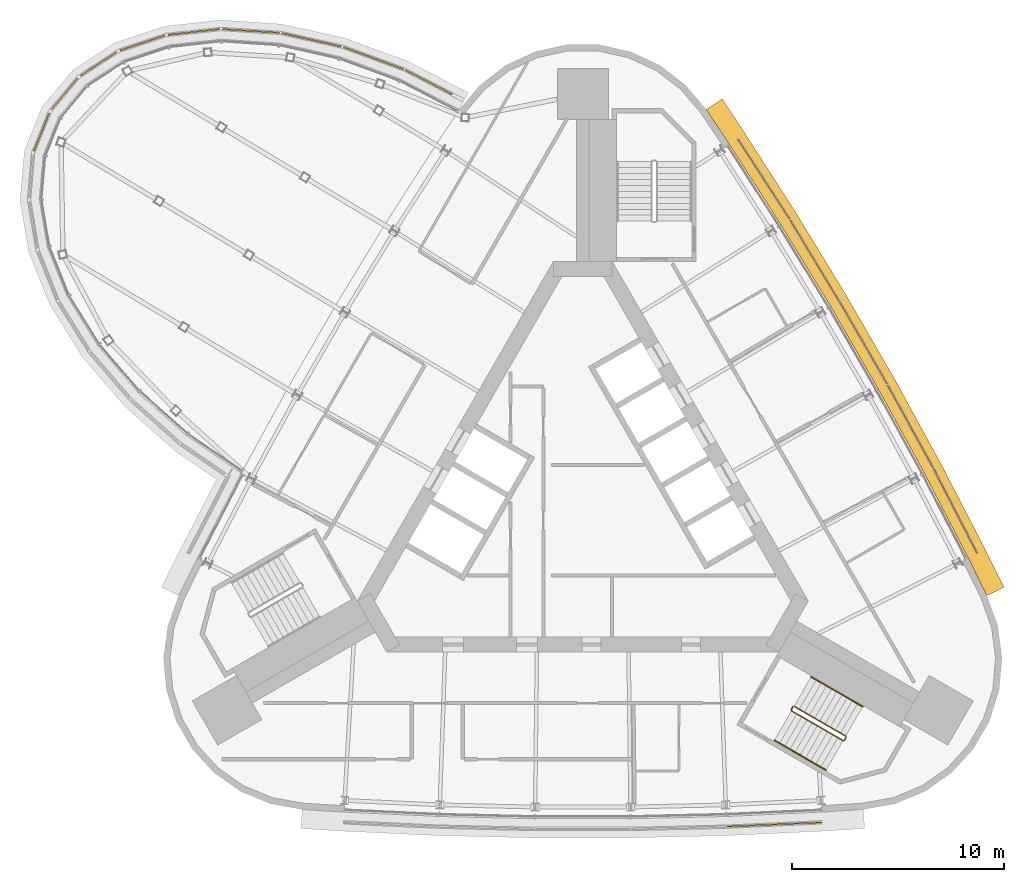
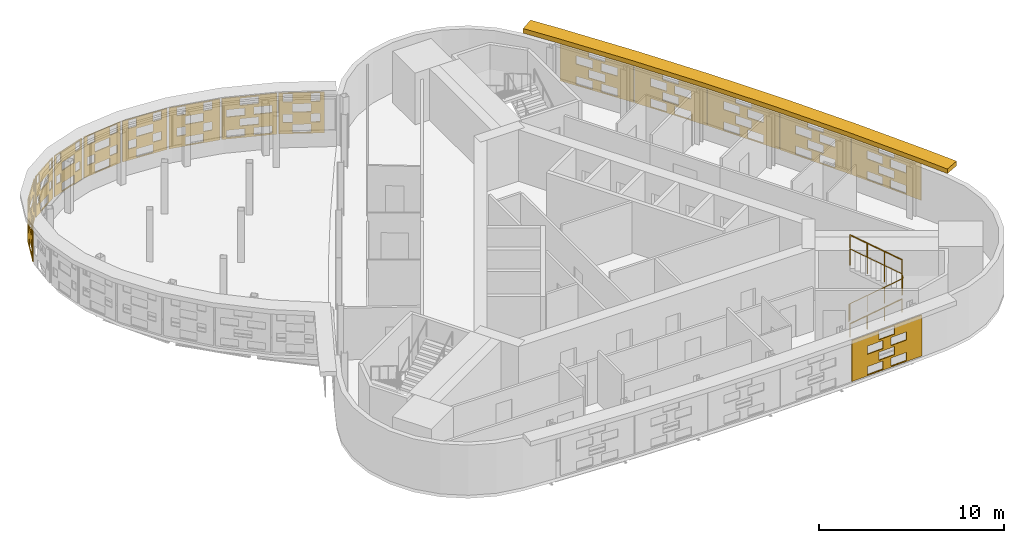
# One storey, part 13 of 13: 16 shading devices, 3 railings.
"""IFC4 building model written with IfcOpenShell, lengths in metres."""

from ifc_helpers import new_model, si_unit, direction, frame, origin, origin_2d, place, context, subcontext, project, spatial, polyline, circle, outline, extrude, material, layer, layer_set, material_profile, profile_set, type_object, element, save


model = new_model("IFC4")

# Units and contexts
model_context = context("Model", 3, precision=1e-05, world=origin(), true_north=direction((0.0, 1.0)))
body_context = subcontext(model_context, "Body", "Model", "MODEL_VIEW")
ifc_project = project(units=[si_unit("LENGTHUNIT", "METRE"), si_unit("AREAUNIT", "SQUARE_METRE"), si_unit("VOLUMEUNIT", "CUBIC_METRE"), si_unit("PLANEANGLEUNIT", "RADIAN"), si_unit("MASSUNIT", "GRAM", prefix="KILO")], contexts=[model_context])

# Site, building, storey
site_placement = place(None, origin())
site = spatial("IfcSite", under=ifc_project, at=site_placement, CompositionType="ELEMENT")
building_placement = place(site_placement, origin())
building = spatial("IfcBuilding", under=site, at=building_placement, Name="Noor Cloister Tower", CompositionType="ELEMENT")
storey_placement = place(building_placement, frame((0.0, 0.0, 267.0)))
storey = spatial("IfcBuildingStorey", under=building, at=storey_placement, Name="L68", CompositionType="ELEMENT", Elevation=267.0)

# Shading devices
ifc_material_1 = material(Name="Limestone", Category="masonry")
ifc_material_profile = material_profile(ifc_material_1, outline(polyline([(-2.22998046875, -1.35009765625), (2.22998046875, -1.35009765625), (2.22998046875, 1.35009765625), (-2.22998046875, 1.35009765625), (-2.22998046875, -1.35009765625)]), holes=[polyline([(-1.25, -1.282470703125), (-0.25, -1.282470703125), (-0.25, -0.742431640625), (-1.25, -0.742431640625), (-1.25, -1.282470703125)]), polyline([(0.25, -1.282470703125), (1.25, -1.282470703125), (1.25, -0.742431640625), (0.25, -0.742431640625), (0.25, -1.282470703125)]), polyline([(-0.5, -0.607421875), (0.5, -0.607421875), (0.5, -0.0673828125), (-0.5, -0.0673828125), (-0.5, -0.607421875)]), polyline([(-1.25, 0.0673828125), (-0.25, 0.0673828125), (-0.25, 0.607421875), (-1.25, 0.607421875), (-1.25, 0.0673828125)]), polyline([(0.25, 0.0673828125), (1.25, 0.0673828125), (1.25, 0.607421875), (0.25, 0.607421875), (0.25, 0.0673828125)]), polyline([(-0.5, 0.742431640625), (0.5, 0.742431640625), (0.5, 1.282470703125), (-0.5, 1.282470703125), (-0.5, 0.742431640625)])]), Name="Woven screen 35 percent open")
ifc_profile_set = profile_set([ifc_material_profile], Name="Limestone")
shading_device_type_1 = type_object("IfcShadingDeviceType", Name="SCREEN woven limestone 35 percent open", PredefinedType="USERDEFINED", material=ifc_profile_set)
shading_device_1_placement = place(storey_placement, frame((9.01708984375, -15.014404296875, 1.85009765625), z_axis=(0.044852774233, -0.998993607909, 0.0), x_axis=(0.998993607909, 0.044852774233, 0.0)))
element("IfcShadingDevice", 1, at=shading_device_1_placement, inside=storey, type_object=shading_device_type_1, Name="SCREEN L68 5", ObjectType="SCREEN", PredefinedType="USERDEFINED", context=body_context, shape_type="SweptSolid", body=[
    extrude(outline(polyline([(-2.22998046875, -1.35009765625), (2.22998046875, -1.35009765625), (2.22998046875, 1.35009765625), (-2.22998046875, 1.35009765625), (-2.22998046875, -1.35009765625)]), holes=[polyline([(-1.25, -1.282470703125), (-0.25, -1.282470703125), (-0.25, -0.742431640625), (-1.25, -0.742431640625), (-1.25, -1.282470703125)]), polyline([(0.25, -1.282470703125), (1.25, -1.282470703125), (1.25, -0.742431640625), (0.25, -0.742431640625), (0.25, -1.282470703125)]), polyline([(-0.5, -0.607421875), (0.5, -0.607421875), (0.5, -0.0673828125), (-0.5, -0.0673828125), (-0.5, -0.607421875)]), polyline([(-1.25, 0.0673828125), (-0.25, 0.0673828125), (-0.25, 0.607421875), (-1.25, 0.607421875), (-1.25, 0.0673828125)]), polyline([(0.25, 0.0673828125), (1.25, 0.0673828125), (1.25, 0.607421875), (0.25, 0.607421875), (0.25, 0.0673828125)]), polyline([(-0.5, 0.742431640625), (0.5, 0.742431640625), (0.5, 1.282470703125), (-0.5, 1.282470703125), (-0.5, 0.742431640625)])]), origin(), (0.0, 0.0, 1.0), 0.059814453125),
])
shading_device_2_placement = place(storey_placement, frame((17.51123046875, -0.3017578125, 1.85009765625), z_axis=(0.888674000225, 0.458539552628, 0.0), x_axis=(-0.458539552628, 0.888674000225, 0.0)))
element("IfcShadingDevice", 2, at=shading_device_2_placement, inside=storey, type_object=shading_device_type_1, Name="SCREEN L68 1", ObjectType="SCREEN", PredefinedType="USERDEFINED", context=body_context, shape_type="SweptSolid", body=[
    extrude(outline(polyline([(-2.22998046875, -1.35009765625), (2.22998046875, -1.35009765625), (2.22998046875, 1.35009765625), (-2.22998046875, 1.35009765625), (-2.22998046875, -1.35009765625)]), holes=[polyline([(-1.25, -1.282470703125), (-0.25, -1.282470703125), (-0.25, -0.742431640625), (-1.25, -0.742431640625), (-1.25, -1.282470703125)]), polyline([(0.25, -1.282470703125), (1.25, -1.282470703125), (1.25, -0.742431640625), (0.25, -0.742431640625), (0.25, -1.282470703125)]), polyline([(-0.5, -0.607421875), (0.5, -0.607421875), (0.5, -0.0673828125), (-0.5, -0.0673828125), (-0.5, -0.607421875)]), polyline([(-1.25, 0.0673828125), (-0.25, 0.0673828125), (-0.25, 0.607421875), (-1.25, 0.607421875), (-1.25, 0.0673828125)]), polyline([(0.25, 0.0673828125), (1.25, 0.0673828125), (1.25, 0.607421875), (0.25, 0.607421875), (0.25, 0.0673828125)]), polyline([(-0.5, 0.742431640625), (0.5, 0.742431640625), (0.5, 1.282470703125), (-0.5, 1.282470703125), (-0.5, 0.742431640625)])]), origin(), (0.0, 0.0, 1.0), 0.06005859375),
])
shading_device_3_placement = place(storey_placement, frame((15.3935546875, 3.679931640625, 1.85009765625), z_axis=(0.876645997325, 0.481135942718, 0.0), x_axis=(-0.481135942718, 0.876645997325, 0.0)))
element("IfcShadingDevice", 3, at=shading_device_3_placement, inside=storey, type_object=shading_device_type_1, Name="SCREEN L68 2", ObjectType="SCREEN", PredefinedType="USERDEFINED", context=body_context, shape_type="SweptSolid", body=[
    extrude(outline(polyline([(-2.22998046875, -1.35009765625), (2.22998046875, -1.35009765625), (2.22998046875, 1.35009765625), (-2.22998046875, 1.35009765625), (-2.22998046875, -1.35009765625)]), holes=[polyline([(-1.25, -1.282470703125), (-0.25, -1.282470703125), (-0.25, -0.742431640625), (-1.25, -0.742431640625), (-1.25, -1.282470703125)]), polyline([(0.25, -1.282470703125), (1.25, -1.282470703125), (1.25, -0.742431640625), (0.25, -0.742431640625), (0.25, -1.282470703125)]), polyline([(-0.5, -0.607421875), (0.5, -0.607421875), (0.5, -0.0673828125), (-0.5, -0.0673828125), (-0.5, -0.607421875)]), polyline([(-1.25, 0.0673828125), (-0.25, 0.0673828125), (-0.25, 0.607421875), (-1.25, 0.607421875), (-1.25, 0.0673828125)]), polyline([(0.25, 0.0673828125), (1.25, 0.0673828125), (1.25, 0.607421875), (0.25, 0.607421875), (0.25, 0.0673828125)]), polyline([(-0.5, 0.742431640625), (0.5, 0.742431640625), (0.5, 1.282470703125), (-0.5, 1.282470703125), (-0.5, 0.742431640625)])]), origin(), (0.0, 0.0, 1.0), 0.059814453125),
])
shading_device_4_placement = place(storey_placement, frame((13.183837890625, 7.61181640625, 1.85009765625), z_axis=(0.865982457891, 0.500074377092, 0.0), x_axis=(-0.500074377092, 0.865982457891, 0.0)))
element("IfcShadingDevice", 4, at=shading_device_4_placement, inside=storey, type_object=shading_device_type_1, Name="SCREEN L68 3", ObjectType="SCREEN", PredefinedType="USERDEFINED", context=body_context, shape_type="SweptSolid", body=[
    extrude(outline(polyline([(-2.22998046875, -1.35009765625), (2.22998046875, -1.35009765625), (2.22998046875, 1.35009765625), (-2.22998046875, 1.35009765625), (-2.22998046875, -1.35009765625)]), holes=[polyline([(-1.25, -1.282470703125), (-0.25, -1.282470703125), (-0.25, -0.742431640625), (-1.25, -0.742431640625), (-1.25, -1.282470703125)]), polyline([(0.25, -1.282470703125), (1.25, -1.282470703125), (1.25, -0.742431640625), (0.25, -0.742431640625), (0.25, -1.282470703125)]), polyline([(-0.5, -0.607421875), (0.5, -0.607421875), (0.5, -0.0673828125), (-0.5, -0.0673828125), (-0.5, -0.607421875)]), polyline([(-1.25, 0.0673828125), (-0.25, 0.0673828125), (-0.25, 0.607421875), (-1.25, 0.607421875), (-1.25, 0.0673828125)]), polyline([(0.25, 0.0673828125), (1.25, 0.0673828125), (1.25, 0.607421875), (0.25, 0.607421875), (0.25, 0.0673828125)]), polyline([(-0.5, 0.742431640625), (0.5, 0.742431640625), (0.5, 1.282470703125), (-0.5, 1.282470703125), (-0.5, 0.742431640625)])]), origin(), (0.0, 0.0, 1.0), 0.06005859375),
])
for number, where, z_axis, x_axis, name in (
    (5, (10.8837890625, 11.4912109375, 1.85009765625), (0.855690023312, 0.517488728384, 0.0), (-0.517488728384, 0.855690023312, 0.0), "SCREEN L68 4"),
    (6, (8.494384765625, 15.316162109375, 1.85009765625), (0.840116811995, 0.54240551454, 0.0), (-0.54240551454, 0.840116811995, 0.0), "SCREEN L68 5"),
):
    element("IfcShadingDevice", number, at=place(storey_placement, frame(where, z_axis=z_axis, x_axis=x_axis)), inside=storey, type_object=shading_device_type_1, Name=name, ObjectType="SCREEN", PredefinedType="USERDEFINED", context=body_context, shape_type="SweptSolid", body=[
        extrude(outline(polyline([(-2.22998046875, -1.35009765625), (2.22998046875, -1.35009765625), (2.22998046875, 1.35009765625), (-2.22998046875, 1.35009765625), (-2.22998046875, -1.35009765625)]), holes=[polyline([(-1.25, -1.282470703125), (-0.25, -1.282470703125), (-0.25, -0.742431640625), (-1.25, -0.742431640625), (-1.25, -1.282470703125)]), polyline([(0.25, -1.282470703125), (1.25, -1.282470703125), (1.25, -0.742431640625), (0.25, -0.742431640625), (0.25, -1.282470703125)]), polyline([(-0.5, -0.607421875), (0.5, -0.607421875), (0.5, -0.0673828125), (-0.5, -0.0673828125), (-0.5, -0.607421875)]), polyline([(-1.25, 0.0673828125), (-0.25, 0.0673828125), (-0.25, 0.607421875), (-1.25, 0.607421875), (-1.25, 0.0673828125)]), polyline([(0.25, 0.0673828125), (1.25, 0.0673828125), (1.25, 0.607421875), (0.25, 0.607421875), (0.25, 0.0673828125)]), polyline([(-0.5, 0.742431640625), (0.5, 0.742431640625), (0.5, 1.282470703125), (-0.5, 1.282470703125), (-0.5, 0.742431640625)])]), origin(), (0.0, 0.0, 1.0), 0.059814453125),
    ])
ifc_material_2 = material(Name="Limestone", Category="masonry")
ifc_layer = layer(ifc_material_2, 0.06005859375)
ifc_layer_set = layer_set([ifc_layer], Name="SCREEN woven limestone pod 35 percent open")
shading_device_type_2 = type_object("IfcShadingDeviceType", Name="SCREEN woven limestone pod 35 percent open", PredefinedType="USERDEFINED", material=ifc_layer_set)
shading_device_5_placement = place(storey_placement, frame((-7.25634765625, 19.86767578125, 1.85009765625), z_axis=(0.460198285861, 0.887816162103, 0.0), x_axis=(-0.887816162103, 0.460198285861, 0.0)))
element("IfcShadingDevice", 7, at=shading_device_5_placement, inside=storey, type_object=shading_device_type_2, Name="SCREEN L68 1", ObjectType="SCREEN", PredefinedType="USERDEFINED", context=body_context, shape_type="SweptSolid", body=[
    extrude(outline(polyline([(-1.24365234375, -1.35009765625), (1.24365234375, -1.35009765625), (1.24365234375, 1.35009765625), (-1.24365234375, 1.35009765625), (-1.24365234375, -1.35009765625)]), holes=[polyline([(-0.5, -1.282470703125), (0.5, -1.282470703125), (0.5, -0.742431640625), (-0.5, -0.742431640625), (-0.5, -1.282470703125)]), polyline([(-1.0, -0.607421875), (-0.5, -0.607421875), (-0.5, -0.0673828125), (-1.0, -0.0673828125), (-1.0, -0.607421875)]), polyline([(0.5, -0.607421875), (1.0, -0.607421875), (1.0, -0.0673828125), (0.5, -0.0673828125), (0.5, -0.607421875)]), polyline([(-0.5, 0.0673828125), (0.5, 0.0673828125), (0.5, 0.607421875), (-0.5, 0.607421875), (-0.5, 0.0673828125)]), polyline([(-1.0, 0.742431640625), (-0.5, 0.742431640625), (-0.5, 1.282470703125), (-1.0, 1.282470703125), (-1.0, 0.742431640625)]), polyline([(0.5, 0.742431640625), (1.0, 0.742431640625), (1.0, 1.282470703125), (0.5, 1.282470703125), (0.5, 0.742431640625)])]), origin(), (0.0, 0.0, 1.0), 0.06005859375),
])
shading_device_6_placement = place(storey_placement, frame((-9.86279296875, 21.001220703125, 1.85009765625), z_axis=(0.345328788842, 0.938481767323, 0.0), x_axis=(-0.938481767323, 0.345328788842, 0.0)))
element("IfcShadingDevice", 8, at=shading_device_6_placement, inside=storey, type_object=shading_device_type_2, Name="SCREEN L68 2", ObjectType="SCREEN", PredefinedType="USERDEFINED", context=body_context, shape_type="SweptSolid", body=[
    extrude(outline(polyline([(-1.50732421875, -1.35009765625), (1.50732421875, -1.35009765625), (1.50732421875, 1.35009765625), (-1.50732421875, 1.35009765625), (-1.50732421875, -1.35009765625)]), holes=[polyline([(-1.25, -1.25), (-0.25, -1.25), (-0.25, -0.775146484375), (-1.25, -0.775146484375), (-1.25, -1.25)]), polyline([(0.25, -1.25), (1.25, -1.25), (1.25, -0.775146484375), (0.25, -0.775146484375), (0.25, -1.25)]), polyline([(-0.5, -0.574951171875), (0.5, -0.574951171875), (0.5, -0.10009765625), (-0.5, -0.10009765625), (-0.5, -0.574951171875)]), polyline([(-1.25, 0.10009765625), (-0.25, 0.10009765625), (-0.25, 0.574951171875), (-1.25, 0.574951171875), (-1.25, 0.10009765625)]), polyline([(0.25, 0.10009765625), (1.25, 0.10009765625), (1.25, 0.574951171875), (0.25, 0.574951171875), (0.25, 0.10009765625)]), polyline([(-0.5, 0.775146484375), (0.5, 0.775146484375), (0.5, 1.25), (-0.5, 1.25), (-0.5, 0.775146484375)])]), origin(), (0.0, 0.0, 1.0), 0.06005859375),
])
shading_device_7_placement = place(storey_placement, frame((-12.77734375, 21.86279296875, 1.85009765625), z_axis=(0.219512195122, 0.975609756098, 0.0), x_axis=(-0.975609756098, 0.219512195122, 0.0)))
element("IfcShadingDevice", 9, at=shading_device_7_placement, inside=storey, type_object=shading_device_type_2, Name="SCREEN L68 3", ObjectType="SCREEN", PredefinedType="USERDEFINED", context=body_context, shape_type="SweptSolid", body=[
    extrude(outline(polyline([(-1.43798828125, -1.35009765625), (1.43798828125, -1.35009765625), (1.43798828125, 1.35009765625), (-1.43798828125, 1.35009765625), (-1.43798828125, -1.35009765625)]), holes=[polyline([(-0.5, -1.282470703125), (0.5, -1.282470703125), (0.5, -0.742431640625), (-0.5, -0.742431640625), (-0.5, -1.282470703125)]), polyline([(-1.0, -0.607421875), (-0.5, -0.607421875), (-0.5, -0.0673828125), (-1.0, -0.0673828125), (-1.0, -0.607421875)]), polyline([(0.5, -0.607421875), (1.0, -0.607421875), (1.0, -0.0673828125), (0.5, -0.0673828125), (0.5, -0.607421875)]), polyline([(-0.5, 0.0673828125), (0.5, 0.0673828125), (0.5, 0.607421875), (-0.5, 0.607421875), (-0.5, 0.0673828125)]), polyline([(-1.0, 0.742431640625), (-0.5, 0.742431640625), (-0.5, 1.282470703125), (-1.0, 1.282470703125), (-1.0, 0.742431640625)]), polyline([(0.5, 0.742431640625), (1.0, 0.742431640625), (1.0, 1.282470703125), (0.5, 1.282470703125), (0.5, 0.742431640625)])]), origin(), (0.0, 0.0, 1.0), 0.06005859375),
])
shading_device_8_placement = place(storey_placement, frame((-15.626708984375, 22.279541015625, 1.85009765625), z_axis=(0.064903515062, 0.997891544073, 0.0), x_axis=(-0.997891544073, 0.064903515062, 0.0)))
element("IfcShadingDevice", 10, at=shading_device_8_placement, inside=storey, type_object=shading_device_type_2, Name="SCREEN L68 4", ObjectType="SCREEN", PredefinedType="USERDEFINED", context=body_context, shape_type="SweptSolid", body=[
    extrude(outline(polyline([(-1.342041015625, -1.35009765625), (1.342041015625, -1.35009765625), (1.342041015625, 1.35009765625), (-1.342041015625, 1.35009765625), (-1.342041015625, -1.35009765625)]), holes=[polyline([(-0.5, -1.282470703125), (0.5, -1.282470703125), (0.5, -0.742431640625), (-0.5, -0.742431640625), (-0.5, -1.282470703125)]), polyline([(-1.0, -0.607421875), (-0.5, -0.607421875), (-0.5, -0.0673828125), (-1.0, -0.0673828125), (-1.0, -0.607421875)]), polyline([(0.5, -0.607421875), (1.0, -0.607421875), (1.0, -0.0673828125), (0.5, -0.0673828125), (0.5, -0.607421875)]), polyline([(-0.5, 0.0673828125), (0.5, 0.0673828125), (0.5, 0.607421875), (-0.5, 0.607421875), (-0.5, 0.0673828125)]), polyline([(-1.0, 0.742431640625), (-0.5, 0.742431640625), (-0.5, 1.282470703125), (-1.0, 1.282470703125), (-1.0, 0.742431640625)]), polyline([(0.5, 0.742431640625), (1.0, 0.742431640625), (1.0, 1.282470703125), (0.5, 1.282470703125), (0.5, 0.742431640625)])]), origin(), (0.0, 0.0, 1.0), 0.060302734375),
])
shading_device_9_placement = place(storey_placement, frame((-18.307373046875, 22.232421875, 1.85009765625), z_axis=(-0.109984423748, 0.993933310908, 0.0), x_axis=(-0.993933310908, -0.109984423748, 0.0)))
element("IfcShadingDevice", 11, at=shading_device_9_placement, inside=storey, type_object=shading_device_type_2, Name="SCREEN L68 5", ObjectType="SCREEN", PredefinedType="USERDEFINED", context=body_context, shape_type="SweptSolid", body=[
    extrude(outline(polyline([(-1.229736328125, -1.35009765625), (1.229736328125, -1.35009765625), (1.229736328125, 1.35009765625), (-1.229736328125, 1.35009765625), (-1.229736328125, -1.35009765625)]), holes=[polyline([(-0.5, -1.282470703125), (0.5, -1.282470703125), (0.5, -0.742431640625), (-0.5, -0.742431640625), (-0.5, -1.282470703125)]), polyline([(-1.0, -0.607421875), (-0.5, -0.607421875), (-0.5, -0.0673828125), (-1.0, -0.0673828125), (-1.0, -0.607421875)]), polyline([(0.5, -0.607421875), (1.0, -0.607421875), (1.0, -0.0673828125), (0.5, -0.0673828125), (0.5, -0.607421875)]), polyline([(-0.5, 0.0673828125), (0.5, 0.0673828125), (0.5, 0.607421875), (-0.5, 0.607421875), (-0.5, 0.0673828125)]), polyline([(-1.0, 0.742431640625), (-0.5, 0.742431640625), (-0.5, 1.282470703125), (-1.0, 1.282470703125), (-1.0, 0.742431640625)]), polyline([(0.5, 0.742431640625), (1.0, 0.742431640625), (1.0, 1.282470703125), (0.5, 1.282470703125), (0.5, 0.742431640625)])]), origin(), (0.0, 0.0, 1.0), 0.059814453125),
])
shading_device_10_placement = place(storey_placement, frame((-20.720458984375, 21.715576171875, 1.85009765625), z_axis=(-0.317448459736, 0.94827552716, 0.0), x_axis=(-0.94827552716, -0.317448459736, 0.0)))
element("IfcShadingDevice", 12, at=shading_device_10_placement, inside=storey, type_object=shading_device_type_2, Name="SCREEN L68 6", ObjectType="SCREEN", PredefinedType="USERDEFINED", context=body_context, shape_type="SweptSolid", body=[
    extrude(outline(polyline([(-1.1162109375, -1.35009765625), (1.1162109375, -1.35009765625), (1.1162109375, 1.35009765625), (-1.1162109375, 1.35009765625), (-1.1162109375, -1.35009765625)]), holes=[polyline([(-0.5, -1.282470703125), (0.5, -1.282470703125), (0.5, -0.742431640625), (-0.5, -0.742431640625), (-0.5, -1.282470703125)]), polyline([(0.60009765625, -0.607421875), (0.96630859375, -0.607421875), (0.96630859375, -0.0673828125), (0.60009765625, -0.0673828125), (0.60009765625, -0.607421875)]), polyline([(-0.96630859375, -0.607421875), (-0.60009765625, -0.607421875), (-0.60009765625, -0.0673828125), (-0.96630859375, -0.0673828125), (-0.96630859375, -0.607421875)]), polyline([(-0.5, 0.0673828125), (0.5, 0.0673828125), (0.5, 0.607421875), (-0.5, 0.607421875), (-0.5, 0.0673828125)]), polyline([(0.60009765625, 0.742431640625), (0.96630859375, 0.742431640625), (0.96630859375, 1.282470703125), (0.60009765625, 1.282470703125), (0.60009765625, 0.742431640625)]), polyline([(-0.96630859375, 0.742431640625), (-0.60009765625, 0.742431640625), (-0.60009765625, 1.282470703125), (-0.96630859375, 1.282470703125), (-0.96630859375, 0.742431640625)])]), origin(), (0.0, 0.0, 1.0), 0.06005859375),
])
shading_device_11_placement = place(storey_placement, frame((-22.773681640625, 20.7373046875, 1.85009765625), z_axis=(-0.547139346477, 0.837041537521, 0.0), x_axis=(-0.837041537521, -0.547139346477, 0.0)))
element("IfcShadingDevice", 13, at=shading_device_11_placement, inside=storey, type_object=shading_device_type_2, Name="SCREEN L68 7", ObjectType="SCREEN", PredefinedType="USERDEFINED", context=body_context, shape_type="SweptSolid", body=[
    extrude(outline(polyline([(-1.02099609375, -1.35009765625), (1.02099609375, -1.35009765625), (1.02099609375, 1.35009765625), (-1.02099609375, 1.35009765625), (-1.02099609375, -1.35009765625)]), holes=[polyline([(-0.5, -1.282470703125), (0.5, -1.282470703125), (0.5, -0.742431640625), (-0.5, -0.742431640625), (-0.5, -1.282470703125)]), polyline([(0.60009765625, -0.607421875), (0.87109375, -0.607421875), (0.87109375, -0.0673828125), (0.60009765625, -0.0673828125), (0.60009765625, -0.607421875)]), polyline([(-0.87109375, -0.607421875), (-0.60009765625, -0.607421875), (-0.60009765625, -0.0673828125), (-0.87109375, -0.0673828125), (-0.87109375, -0.607421875)]), polyline([(-0.5, 0.0673828125), (0.5, 0.0673828125), (0.5, 0.607421875), (-0.5, 0.607421875), (-0.5, 0.0673828125)]), polyline([(0.60009765625, 0.742431640625), (0.87109375, 0.742431640625), (0.87109375, 1.282470703125), (0.60009765625, 1.282470703125), (0.60009765625, 0.742431640625)]), polyline([(-0.87109375, 0.742431640625), (-0.60009765625, 0.742431640625), (-0.60009765625, 1.282470703125), (-0.87109375, 1.282470703125), (-0.87109375, 0.742431640625)])]), origin(), (0.0, 0.0, 1.0), 0.059814453125),
])
shading_device_12_placement = place(storey_placement, frame((-24.37744140625, 19.324462890625, 1.85009765625), z_axis=(-0.767222138414, 0.641381470209, 0.0), x_axis=(-0.641381470209, -0.767222138414, 0.0)))
element("IfcShadingDevice", 14, at=shading_device_12_placement, inside=storey, type_object=shading_device_type_2, Name="SCREEN L68 8", ObjectType="SCREEN", PredefinedType="USERDEFINED", context=body_context, shape_type="SweptSolid", body=[
    extrude(outline(polyline([(-0.9658203125, -1.35009765625), (0.9658203125, -1.35009765625), (0.9658203125, 1.35009765625), (-0.9658203125, 1.35009765625), (-0.9658203125, -1.35009765625)]), holes=[polyline([(-0.5, -1.282470703125), (0.5, -1.282470703125), (0.5, -0.742431640625), (-0.5, -0.742431640625), (-0.5, -1.282470703125)]), polyline([(0.60009765625, -0.607421875), (0.815673828125, -0.607421875), (0.815673828125, -0.0673828125), (0.60009765625, -0.0673828125), (0.60009765625, -0.607421875)]), polyline([(-0.815673828125, -0.607421875), (-0.60009765625, -0.607421875), (-0.60009765625, -0.0673828125), (-0.815673828125, -0.0673828125), (-0.815673828125, -0.607421875)]), polyline([(-0.5, 0.0673828125), (0.5, 0.0673828125), (0.5, 0.607421875), (-0.5, 0.607421875), (-0.5, 0.0673828125)]), polyline([(0.60009765625, 0.742431640625), (0.815673828125, 0.742431640625), (0.815673828125, 1.282470703125), (0.60009765625, 1.282470703125), (0.60009765625, 0.742431640625)]), polyline([(-0.815673828125, 0.742431640625), (-0.60009765625, 0.742431640625), (-0.60009765625, 1.282470703125), (-0.815673828125, 1.282470703125), (-0.815673828125, 0.742431640625)])]), origin(), (0.0, 0.0, 1.0), 0.06005859375),
])
shading_device_13_placement = place(storey_placement, frame((-25.451416015625, 17.5341796875, 1.85009765625), z_axis=(-0.926777682961, 0.375610338469, 0.0), x_axis=(-0.375610338469, -0.926777682961, 0.0)))
element("IfcShadingDevice", 15, at=shading_device_13_placement, inside=storey, type_object=shading_device_type_2, Name="SCREEN L68 9", ObjectType="SCREEN", PredefinedType="USERDEFINED", context=body_context, shape_type="SweptSolid", body=[
    extrude(outline(polyline([(-0.9658203125, -1.35009765625), (0.9658203125, -1.35009765625), (0.9658203125, 1.35009765625), (-0.9658203125, 1.35009765625), (-0.9658203125, -1.35009765625)]), holes=[polyline([(-0.5, -1.282470703125), (0.5, -1.282470703125), (0.5, -0.742431640625), (-0.5, -0.742431640625), (-0.5, -1.282470703125)]), polyline([(0.60009765625, -0.607421875), (0.815673828125, -0.607421875), (0.815673828125, -0.0673828125), (0.60009765625, -0.0673828125), (0.60009765625, -0.607421875)]), polyline([(-0.815673828125, -0.607421875), (-0.60009765625, -0.607421875), (-0.60009765625, -0.0673828125), (-0.815673828125, -0.0673828125), (-0.815673828125, -0.607421875)]), polyline([(-0.5, 0.0673828125), (0.5, 0.0673828125), (0.5, 0.607421875), (-0.5, 0.607421875), (-0.5, 0.0673828125)]), polyline([(0.60009765625, 0.742431640625), (0.815673828125, 0.742431640625), (0.815673828125, 1.282470703125), (0.60009765625, 1.282470703125), (0.60009765625, 0.742431640625)]), polyline([(-0.815673828125, 0.742431640625), (-0.60009765625, 0.742431640625), (-0.60009765625, 1.282470703125), (-0.815673828125, 1.282470703125), (-0.815673828125, 0.742431640625)])]), origin(), (0.0, 0.0, 1.0), 0.059814453125),
])
ifc_material_3 = material(Name="Limestone", Category="masonry")
shading_device_type_3 = type_object("IfcShadingDeviceType", Name="SUNSHADE limestone band 900", PredefinedType="USERDEFINED", material=ifc_material_3)
shading_device_14_placement = place(storey_placement, frame((0.0, 0.0, 3.300048828125)))
element("IfcShadingDevice", 16, at=shading_device_14_placement, inside=storey, type_object=shading_device_type_3, Name="SUNSHADE L68 3", ObjectType="SUNSHADE", PredefinedType="USERDEFINED", context=body_context, shape_type="SweptSolid", body=[
    extrude(outline(polyline([(19.827392578125, -3.873291015625), (18.947998046875, -2.100341796875), (16.872802734375, 1.91259765625), (14.703857421875, 5.879150390625), (12.443359375, 9.794189453125), (10.0927734375, 13.656005859375), (7.655029296875, 17.45947265625), (6.559326171875, 19.10791015625), (5.809814453125, 18.609619140625), (6.9013671875, 16.967529296875), (9.32958984375, 13.178955078125), (11.669189453125, 9.335205078125), (13.919189453125, 5.438232421875), (16.078125, 1.489990234375), (18.14501953125, -2.507080078125), (19.021240234375, -4.2734375), (19.827392578125, -3.873291015625)])), origin(), (0.0, 0.0, 1.0), 0.300048828125),
])

# Railings
ifc_material_4 = material(Name="Stainless steel", Category="steel")
railing_type_1 = type_object("IfcRailingType", Name="Stair guard 1100", PredefinedType="GUARDRAIL", material=ifc_material_4)
railing_1_placement = place(storey_placement, frame((9.805908203125, -9.628662109375, 0.0)))
element("IfcRailing", 17, at=railing_1_placement, inside=storey, type_object=railing_type_1, Name="Stair guard ST3 L68", PredefinedType="GUARDRAIL", context=body_context, shape_type="SweptSolid", body=[
    extrude(circle(Radius=0.02392578125, at=origin_2d()), frame((0.0, 0.0, 1.076171875), z_axis=(0.499112439033, 0.866537231285, 0.0), x_axis=(-0.866537231285, 0.499112439033, 0.0)), (0.0, 0.0, 1.0), 0.150146484375),
    extrude(circle(Radius=0.02392578125, at=origin_2d()), frame((0.074951171875, 0.130126953125, 1.076171875), z_axis=(-0.215214839654, -0.753251938789, 0.621525614518), x_axis=(0.961523947641, -0.274721127897, 0.0)), (0.0, 0.0, 1.0), 0.26318359375),
    extrude(circle(Radius=0.02392578125, at=origin_2d()), frame((0.018310546875, -0.068115234375, 1.23974609375), z_axis=(0.747665513933, -0.431721881032, 0.504591415616), x_axis=(0.500049511043, 0.865996816683, 0.0)), (0.0, 0.0, 1.0), 3.2431640625),
    extrude(circle(Radius=0.02392578125, at=origin_2d()), frame((2.443115234375, -1.46826171875, 2.8759765625), z_axis=(0.965948051503, 0.258736085224, 0.0), x_axis=(-0.258736085224, 0.965948051503, 0.0)), (0.0, 0.0, 1.0), 0.07080078125),
    extrude(circle(Radius=0.02392578125, at=origin_2d()), frame((2.511474609375, -1.449951171875, 2.8759765625), z_axis=(0.499816412211, 0.866131372301, 0.0), x_axis=(-0.866131372301, 0.499816412211, 0.0)), (0.0, 0.0, 1.0), 0.14990234375),
    extrude(circle(Radius=0.02392578125, at=origin_2d()), frame((2.58642578125, -1.320068359375, 2.8759765625), z_axis=(-0.102737316192, 0.383552647116, 0.917786691313), x_axis=(-0.965948051503, -0.258736085224, 0.0)), (0.0, 0.0, 1.0), 0.17822265625),
    extrude(circle(Radius=0.02392578125, at=origin_2d()), frame((2.568115234375, -1.251708984375, 3.03955078125), z_axis=(-0.747689811644, 0.431660630283, 0.504607813879), x_axis=(-0.49998411664, -0.866034573852, 0.0)), (0.0, 0.0, 1.0), 3.2431640625),
    extrude(circle(Radius=0.02099609375, at=origin_2d()), origin(), (0.0, 0.0, 1.0), 1.052001953125),
    extrude(circle(Radius=0.02099609375, at=origin_2d()), frame((0.074951171875, 0.130126953125, 0.0)), (0.0, 0.0, 1.0), 1.052001953125),
    extrude(circle(Radius=0.02099609375, at=origin_2d()), frame((0.018310546875, -0.068115234375, 0.16357421875)), (0.0, 0.0, 1.0), 1.052001953125),
    extrude(circle(Radius=0.02099609375, at=origin_2d()), frame((0.82666015625, -0.534912109375, 0.708984375)), (0.0, 0.0, 1.0), 1.052001953125),
    extrude(circle(Radius=0.02099609375, at=origin_2d()), frame((1.634765625, -1.00146484375, 1.254638671875)), (0.0, 0.0, 1.0), 1.052001953125),
    extrude(circle(Radius=0.02099609375, at=origin_2d()), frame((2.443115234375, -1.46826171875, 1.800048828125)), (0.0, 0.0, 1.0), 1.052001953125),
    extrude(circle(Radius=0.02099609375, at=origin_2d()), frame((2.511474609375, -1.449951171875, 1.800048828125)), (0.0, 0.0, 1.0), 1.052001953125),
    extrude(circle(Radius=0.02099609375, at=origin_2d()), frame((2.58642578125, -1.320068359375, 1.800048828125)), (0.0, 0.0, 1.0), 1.052001953125),
    extrude(circle(Radius=0.02099609375, at=origin_2d()), frame((2.568115234375, -1.251708984375, 1.963623046875)), (0.0, 0.0, 1.0), 1.052001953125),
    extrude(circle(Radius=0.02099609375, at=origin_2d()), frame((1.759765625, -0.78515625, 2.509033203125)), (0.0, 0.0, 1.0), 1.052001953125),
    extrude(circle(Radius=0.02099609375, at=origin_2d()), frame((0.95166015625, -0.318359375, 3.0546875)), (0.0, 0.0, 1.0), 1.052001953125),
    extrude(circle(Radius=0.02099609375, at=origin_2d()), frame((0.143310546875, 0.148193359375, 3.60009765625)), (0.0, 0.0, 1.0), 1.052001953125),
])
ifc_material_5 = material(Name="Stainless steel", Category="steel")
railing_type_2 = type_object("IfcRailingType", Name="Stair handrail 900", PredefinedType="HANDRAIL", material=ifc_material_5)
railing_2_placement = place(storey_placement, frame((9.024169921875, -11.08251953125, 0.16357421875)))
element("IfcRailing", 18, at=railing_2_placement, inside=storey, type_object=railing_type_2, Name="Stair handrail ST3 L68 1", PredefinedType="HANDRAIL", context=body_context, shape_type="SweptSolid", body=[
    extrude(circle(Radius=0.02392578125, at=origin_2d()), frame((0.0, 0.0, 0.8759765625), z_axis=(0.747689811644, -0.431660630283, 0.504607813879), x_axis=(0.49998411664, 0.866034573852, 0.0)), (0.0, 0.0, 1.0), 3.2431640625),
    extrude(circle(Radius=0.02099609375, at=origin_2d()), origin(), (0.0, 0.0, 1.0), 0.851806640625),
    extrude(circle(Radius=0.02099609375, at=origin_2d()), frame((0.808349609375, -0.466552734375, 0.54541015625)), (0.0, 0.0, 1.0), 0.851806640625),
    extrude(circle(Radius=0.02099609375, at=origin_2d()), frame((1.616455078125, -0.933349609375, 1.091064453125)), (0.0, 0.0, 1.0), 0.851806640625),
    extrude(circle(Radius=0.02099609375, at=origin_2d()), frame((2.4248046875, -1.39990234375, 1.636474609375)), (0.0, 0.0, 1.0), 0.851806640625),
])
railing_3_placement = place(storey_placement, frame((13.174072265625, -9.49462890625, 1.963623046875)))
element("IfcRailing", 19, at=railing_3_placement, inside=storey, type_object=railing_type_2, Name="Stair handrail ST3 L68 2", PredefinedType="HANDRAIL", context=body_context, shape_type="SweptSolid", body=[
    extrude(circle(Radius=0.02392578125, at=origin_2d()), frame((0.0, 0.0, 0.8759765625), z_axis=(-0.747689811644, 0.431660630283, 0.504607813879), x_axis=(-0.49998411664, -0.866034573852, 0.0)), (0.0, 0.0, 1.0), 3.2431640625),
    extrude(circle(Radius=0.02099609375, at=origin_2d()), origin(), (0.0, 0.0, 1.0), 0.851806640625),
    extrude(circle(Radius=0.02099609375, at=origin_2d()), frame((-0.808349609375, 0.466552734375, 0.54541015625)), (0.0, 0.0, 1.0), 0.851806640625),
    extrude(circle(Radius=0.02099609375, at=origin_2d()), frame((-1.616455078125, 0.933349609375, 1.091064453125)), (0.0, 0.0, 1.0), 0.851806640625),
    extrude(circle(Radius=0.02099609375, at=origin_2d()), frame((-2.4248046875, 1.39990234375, 1.636474609375)), (0.0, 0.0, 1.0), 0.851806640625),
])

save(model, "model.ifc")
